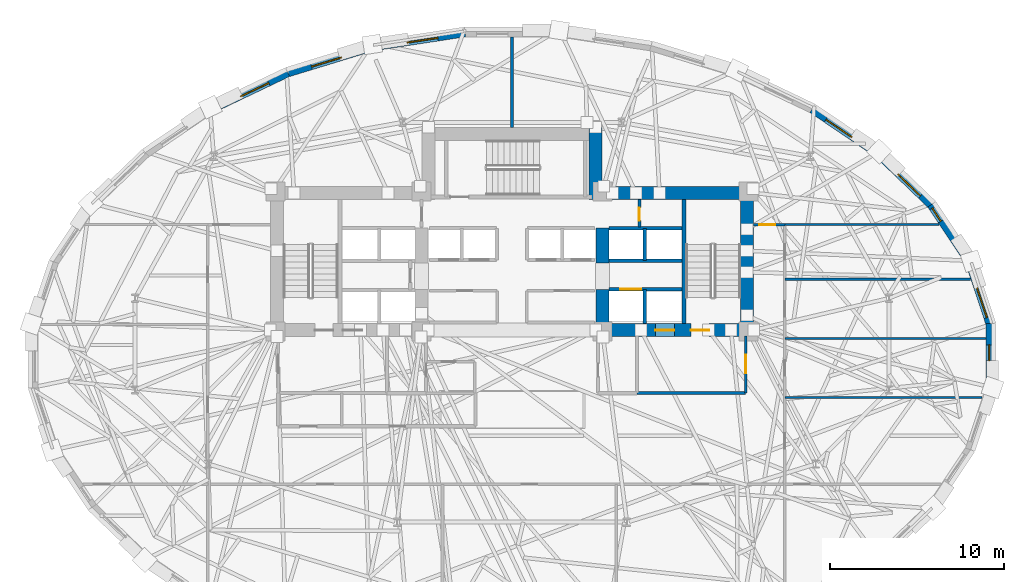
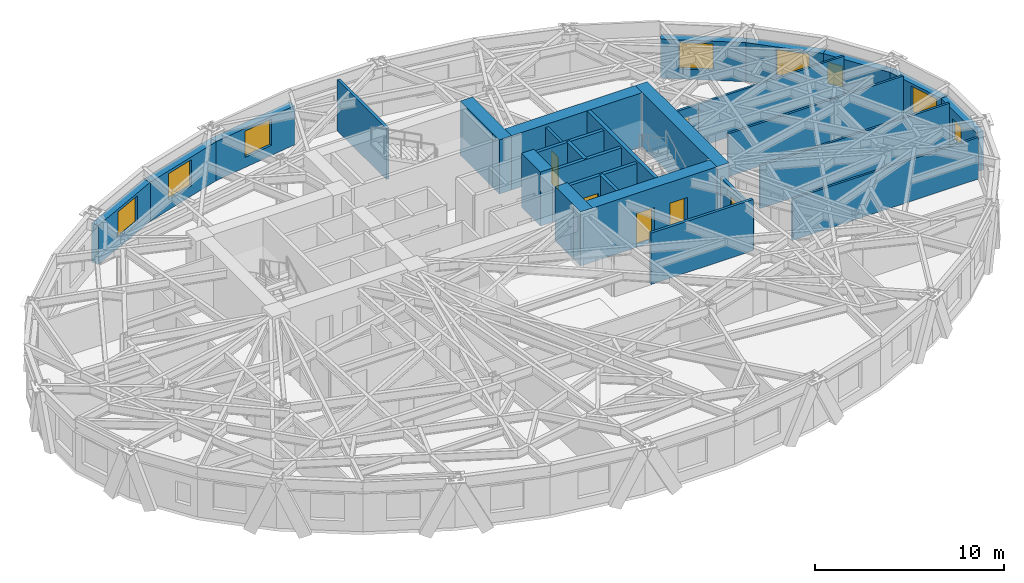
# One storey, part 9 of 14: 29 walls, 8 windows, 6 doors, 14 openings.
"""IFC4 building model written with IfcOpenShell, lengths in metres."""

from ifc_helpers import new_model, si_unit, direction, frame, frame_2d, origin, place, context, subcontext, project, spatial, rectangle, extrude, material, layer, layer_set, type_object, element, fill, save


model = new_model("IFC4")

# Units and contexts
model_context = context("Model", 3, precision=1e-05, world=origin(), true_north=direction((0.0, 1.0)))
body_context = subcontext(model_context, "Body", "Model", "MODEL_VIEW")
ifc_project = project(units=[si_unit("LENGTHUNIT", "METRE"), si_unit("AREAUNIT", "SQUARE_METRE"), si_unit("VOLUMEUNIT", "CUBIC_METRE"), si_unit("PLANEANGLEUNIT", "RADIAN"), si_unit("MASSUNIT", "GRAM", prefix="KILO")], contexts=[model_context])

# Site, building, storey
site_placement = place(None, origin())
site = spatial("IfcSite", under=ifc_project, at=site_placement, CompositionType="ELEMENT")
building_placement = place(site_placement, origin())
building = spatial("IfcBuilding", under=site, at=building_placement, Name="Keldmark Tower", CompositionType="ELEMENT")
storey_placement = place(building_placement, frame((0.0, 0.0, 100.10009765625)))
storey = spatial("IfcBuildingStorey", under=building, at=storey_placement, Name="L26", CompositionType="ELEMENT", Elevation=100.10009765625)

# Wall, opening, door
ifc_material_1 = material(Name="Acoustic Double-Layer Gypsum Corridor Partition", Category="gypsum")
ifc_layer_1 = layer(ifc_material_1, 0.139892578125)
ifc_layer_set_1 = layer_set([ifc_layer_1], Name="Acoustic Double-Layer Gypsum Corridor Partition")
wall_type_1 = type_object("IfcWallType", Name="Acoustic Corridor Partition 140 mm", PredefinedType="PARTITIONING", material=ifc_layer_set_1)
wall_1_placement = place(storey_placement, frame((13.89990234375, 7.550048828125, 0.0), z_axis=(0.0, 0.0, 1.0), x_axis=(1.0, 0.0, 0.0)))
wall_1 = element("IfcWall", 1, at=wall_1_placement, inside=storey, type_object=wall_type_1, Name="L26 Acoustic Corridor Partition 140 mm COR-EN-CAP", PredefinedType="PARTITIONING", context=body_context, shape_type="SweptSolid", body=[
    extrude(rectangle(XDim=1.800048828125, YDim=0.139892578125, at=frame_2d((0.89990234375, 0.0))), origin(), (0.0, 0.0, 1.0), 2.762939453125),
])
opening_1_placement = place(wall_1_placement, frame((0.320068359375, 0.0, 0.0)))
opening_1 = element("IfcOpeningElement", 2, at=opening_1_placement, cuts=wall_1, Name="Opening D-EX092", PredefinedType="OPENING", context=body_context, shape_type="SweptSolid", body=[
    extrude(rectangle(XDim=0.919921875, YDim=2.14990234375, at=frame_2d((0.4599609375, 1.074951171875))), frame((0.0, 0.079833984375, 0.0), z_axis=(0.0, -1.0, 0.0), x_axis=(1.0, 0.0, 0.0)), (0.0, 0.0, 1.0), 0.159912109375),
])
ifc_material_2 = material(Name="Flush American Ash Executive Office Door", Category="wood")
door_type_1 = type_object("IfcDoorType", Name="Executive Office Door 920x2150", OperationType="NOTDEFINED", PredefinedType="DOOR", material=ifc_material_2)
door_1_placement = place(opening_1_placement, origin())
door_1 = element("IfcDoor", 3, at=door_1_placement, inside=storey, type_object=door_type_1, Name="L26 Executive Office Door 920x2150 D-NRNE-L26", OperationType="SINGLE_SWING_RIGHT", OverallHeight=2.14990234375, OverallWidth=0.919921875, PredefinedType="DOOR", context=body_context, shape_type="SweptSolid", body=[
    extrude(rectangle(XDim=0.919921875, YDim=2.14990234375, at=frame_2d((0.4599609375, 1.074951171875))), frame((0.0, 0.02490234375, 0.0), z_axis=(0.0, -1.0, 0.0), x_axis=(1.0, 0.0, 0.0)), (0.0, 0.0, 1.0), 0.050048828125),
])
fill(opening_1, door_1)

# Walls
ifc_material_3 = material(Name="STC-58 Insulated Tenant Demising Gypsum Partition", Category="gypsum")
ifc_layer_2 = layer(ifc_material_3, 0.175048828125)
ifc_layer_set_2 = layer_set([ifc_layer_2], Name="STC-58 Insulated Tenant Demising Gypsum Partition")
wall_type_2 = type_object("IfcWallType", Name="Demising Suite Partition 175 mm", PredefinedType="PARTITIONING", material=ifc_layer_set_2)
wall_2_placement = place(storey_placement, frame((0.0, 13.14990234375, 0.0), z_axis=(0.0, 0.0, 1.0), x_axis=(0.0, 1.0, 0.0)))
element("IfcWall", 4, at=wall_2_placement, inside=storey, type_object=wall_type_2, Name="L26 Demising Suite Partition 175 mm N-MID-DIV", PredefinedType="PARTITIONING", context=body_context, shape_type="SweptSolid", body=[
    extrude(rectangle(XDim=5.1904296875, YDim=0.175048828125, at=frame_2d((2.59521484375, 0.0))), origin(), (0.0, 0.0, 1.0), 3.309814453125),
])
ifc_material_4 = material(Name="Acoustic Gypsum Board Interior Partition", Category="gypsum")
ifc_layer_3 = layer(ifc_material_4, 0.1298828125)
ifc_layer_set_3 = layer_set([ifc_layer_3], Name="Acoustic Gypsum Board Interior Partition")
wall_type_3 = type_object("IfcWallType", Name="Interior Partition 130 mm", PredefinedType="PARTITIONING", material=ifc_layer_set_3)
wall_3_placement = place(storey_placement, frame((15.699951171875, 7.550048828125, 0.0), z_axis=(0.0, 0.0, 1.0), x_axis=(1.0, 0.0, 0.0)))
element("IfcWall", 5, at=wall_3_placement, inside=storey, type_object=wall_type_3, Name="L26 Interior Partition 130 mm E-CAP-N", PredefinedType="PARTITIONING", context=body_context, shape_type="SweptSolid", body=[
    extrude(rectangle(XDim=8.888671875, YDim=0.1298828125, at=frame_2d((4.4443359375, 0.0))), origin(), (0.0, 0.0, 1.0), 2.762939453125),
])
wall_4_placement = place(storey_placement, frame((15.699951171875, -2.39990234375, 0.0), z_axis=(0.0, 0.0, 1.0), x_axis=(1.0, 0.0, 0.0)))
element("IfcWall", 6, at=wall_4_placement, inside=storey, type_object=wall_type_3, Name="L26 Interior Partition 130 mm E-DIV-1", PredefinedType="PARTITIONING", context=body_context, shape_type="SweptSolid", body=[
    extrude(rectangle(XDim=11.36181640625, YDim=0.1298828125, at=frame_2d((5.680908203125, 0.0))), origin(), (0.0, 0.0, 1.0), 2.68798828125),
])
wall_5_placement = place(storey_placement, frame((15.699951171875, 1.0, 0.0), z_axis=(0.0, 0.0, 1.0), x_axis=(1.0, 0.0, 0.0)))
element("IfcWall", 7, at=wall_5_placement, inside=storey, type_object=wall_type_3, Name="L26 Interior Partition 130 mm E-DIV-2", PredefinedType="PARTITIONING", context=body_context, shape_type="SweptSolid", body=[
    extrude(rectangle(XDim=11.567626953125, YDim=0.1298828125, at=frame_2d((5.78369140625, 0.0))), origin(), (0.0, 0.0, 1.0), 2.762939453125),
])
wall_6_placement = place(storey_placement, frame((15.699951171875, 4.39990234375, 0.0), z_axis=(0.0, 0.0, 1.0), x_axis=(1.0, 0.0, 0.0)))
element("IfcWall", 8, at=wall_6_placement, inside=storey, type_object=wall_type_3, Name="L26 Interior Partition 130 mm E-DIV-3", PredefinedType="PARTITIONING", context=body_context, shape_type="SweptSolid", body=[
    extrude(rectangle(XDim=10.69970703125, YDim=0.1298828125, at=frame_2d((5.349853515625, 0.0))), origin(), (0.0, 0.0, 1.0), 2.762939453125),
])
ifc_material_5 = material(Name="Concrete C70/85", Category="concrete")
ifc_layer_4 = layer(ifc_material_5, 0.75)
ifc_layer_set_4 = layer_set([ifc_layer_4], Name="Concrete C70/85")
wall_type_4 = type_object("IfcWallType", Name="Low-Mid Core Shear Wall 750 mm", PredefinedType="SHEAR", material=ifc_layer_set_4)
wall_7_placement = place(storey_placement, frame((13.52490234375, 1.10009765625, 0.0), z_axis=(0.0, 0.0, 1.0), x_axis=(0.0, 1.0, 0.0)))
element("IfcWall", 9, at=wall_7_placement, inside=storey, type_object=wall_type_4, Name="L26 East Core Outer Shear Wall", PredefinedType="SHEAR", context=body_context, shape_type="SweptSolid", body=[
    extrude(rectangle(XDim=8.64990234375, YDim=0.75, at=frame_2d((4.324951171875, 0.0))), origin(), (0.0, 0.0, 1.0), 3.5),
])
wall_8_placement = place(storey_placement, frame((4.425048828125, 9.375, 0.0), z_axis=(0.0, 0.0, 1.0), x_axis=(1.0, 0.0, 0.0)))
element("IfcWall", 10, at=wall_8_placement, inside=storey, type_object=wall_type_4, Name="L26 East Core North Shear Wall", PredefinedType="SHEAR", context=body_context, shape_type="SweptSolid", body=[
    extrude(rectangle(XDim=9.474853515625, YDim=0.75, at=frame_2d((4.7373046875, 0.0))), origin(), (0.0, 0.0, 1.0), 3.5),
])

# Wall, openings, doors
wall_9_placement = place(storey_placement, frame((13.89990234375, 1.47509765625, 0.0), z_axis=(0.0, 0.0, 1.0), x_axis=(-1.0, 0.0, 0.0)))
wall_9 = element("IfcWall", 11, at=wall_9_placement, inside=storey, type_object=wall_type_4, Name="L26 East Core South Shear Wall", PredefinedType="SHEAR", context=body_context, shape_type="SweptSolid", body=[
    extrude(rectangle(XDim=9.074951171875, YDim=0.75, at=frame_2d((4.53759765625, 0.0))), origin(), (0.0, 0.0, 1.0), 3.5),
])
opening_2_placement = place(wall_9_placement, frame((2.550048828125, 0.0, 0.0)))
opening_2 = element("IfcOpeningElement", 12, at=opening_2_placement, cuts=wall_9, Name="Opening D-ST105", PredefinedType="OPENING", context=body_context, shape_type="SweptSolid", body=[
    extrude(rectangle(XDim=1.050048828125, YDim=2.14990234375, at=frame_2d((0.52490234375, 1.074951171875))), frame((0.0, 0.385009765625, 0.0), z_axis=(0.0, -1.0, 0.0), x_axis=(1.0, 0.0, 0.0)), (0.0, 0.0, 1.0), 0.77001953125),
])
opening_3_placement = place(wall_9_placement, frame((4.550048828125, 0.0, 0.0)))
opening_3 = element("IfcOpeningElement", 13, at=opening_3_placement, cuts=wall_9, Name="Opening LD-110", PredefinedType="OPENING", context=body_context, shape_type="SweptSolid", body=[
    extrude(rectangle(XDim=1.10009765625, YDim=2.199951171875, at=frame_2d((0.550048828125, 1.10009765625))), frame((0.0, 0.385009765625, 0.0), z_axis=(0.0, -1.0, 0.0), x_axis=(1.0, 0.0, 0.0)), (0.0, 0.0, 1.0), 0.77001953125),
])
ifc_material_6 = material(Name="Brushed Bronze Hoistway Sliding Leaf", Category="metal")
door_type_2 = type_object("IfcDoorType", Name="Lift Landing Sliding Door 1100x2200", OperationType="SLIDING_TO_LEFT", PredefinedType="DOOR", material=ifc_material_6)
door_2_placement = place(opening_3_placement, origin())
door_2 = element("IfcDoor", 14, at=door_2_placement, inside=storey, type_object=door_type_2, Name="L26 Lift Landing Sliding Door 1100x2200 LD-EL-FS2-L26", OperationType="SLIDING_TO_LEFT", OverallHeight=2.199951171875, OverallWidth=1.10009765625, PredefinedType="DOOR", context=body_context, shape_type="SweptSolid", body=[
    extrude(rectangle(XDim=1.10009765625, YDim=2.199951171875, at=frame_2d((0.550048828125, 1.10009765625))), frame((0.0, 0.02490234375, 0.0), z_axis=(0.0, -1.0, 0.0), x_axis=(1.0, 0.0, 0.0)), (0.0, 0.0, 1.0), 0.050048828125),
])
fill(opening_3, door_2)
ifc_material_7 = material(Name="Hollow Metal Fire-Rated Door Assembly", Category="metal")
door_type_3 = type_object("IfcDoorType", Name="Stair Fire Door 1050x2150", OperationType="NOTDEFINED", PredefinedType="DOOR", material=ifc_material_7)
door_3_placement = place(opening_2_placement, origin())
door_3 = element("IfcDoor", 15, at=door_3_placement, inside=storey, type_object=door_type_3, Name="L26 Stair Fire Door 1050x2150 D-ST2-L26", OperationType="SINGLE_SWING_LEFT", OverallHeight=2.14990234375, OverallWidth=1.050048828125, PredefinedType="DOOR", context=body_context, shape_type="SweptSolid", body=[
    extrude(rectangle(XDim=1.050048828125, YDim=2.14990234375, at=frame_2d((0.52490234375, 1.074951171875))), frame((0.0, 0.02490234375, 0.0), z_axis=(0.0, -1.0, 0.0), x_axis=(1.0, 0.0, 0.0)), (0.0, 0.0, 1.0), 0.050048828125),
])
fill(opening_2, door_3)

# Walls
wall_10_placement = place(storey_placement, frame((5.199951171875, 1.10009765625, 0.0), z_axis=(0.0, 0.0, 1.0), x_axis=(0.0, 1.0, 0.0)))
element("IfcWall", 16, at=wall_10_placement, inside=storey, type_object=wall_type_4, Name="L26 East Core Inner Shear Pier South", PredefinedType="SHEAR", context=body_context, shape_type="SweptSolid", body=[
    extrude(rectangle(XDim=2.699951171875, YDim=0.75, at=frame_2d((1.35009765625, 0.0))), origin(), (0.0, 0.0, 1.0), 3.5),
])
wall_11_placement = place(storey_placement, frame((5.199951171875, 5.35009765625, 0.0), z_axis=(0.0, 0.0, 1.0), x_axis=(0.0, 1.0, 0.0)))
element("IfcWall", 17, at=wall_11_placement, inside=storey, type_object=wall_type_4, Name="L26 East Core Inner Shear Pier North", PredefinedType="SHEAR", context=body_context, shape_type="SweptSolid", body=[
    extrude(rectangle(XDim=2.0, YDim=0.75, at=frame_2d((1.0, 0.0))), origin(), (0.0, 0.0, 1.0), 3.5),
])
wall_12_placement = place(storey_placement, frame((4.800048828125, 9.0, 0.0), z_axis=(0.0, 0.0, 1.0), x_axis=(0.0, 1.0, 0.0)))
element("IfcWall", 18, at=wall_12_placement, inside=storey, type_object=wall_type_4, Name="L26 North Core East Shear Wall", PredefinedType="SHEAR", context=body_context, shape_type="SweptSolid", body=[
    extrude(rectangle(XDim=4.14990234375, YDim=0.75, at=frame_2d((2.074951171875, 0.0))), origin(), (0.0, 0.0, 1.0), 3.5),
])
ifc_material_8 = material(Name="Type X Fire-Rated Gypsum Partition Assembly", Category="gypsum")
ifc_layer_5 = layer(ifc_material_8, 0.1650390625)
ifc_layer_set_5 = layer_set([ifc_layer_5], Name="Type X Fire-Rated Gypsum Partition Assembly")
wall_type_5 = type_object("IfcWallType", Name="Rated Partition 165 mm", PredefinedType="PARTITIONING", material=ifc_layer_set_5)
wall_13_placement = place(storey_placement, frame((7.199951171875, -2.14990234375, 0.0), z_axis=(0.0, 0.0, 1.0), x_axis=(1.0, 0.0, 0.0)))
element("IfcWall", 19, at=wall_13_placement, inside=storey, type_object=wall_type_5, Name="L26 Rated Partition 165 mm FSAE-E-S", PredefinedType="PARTITIONING", context=body_context, shape_type="SweptSolid", body=[
    extrude(rectangle(XDim=6.25, YDim=0.1650390625, at=frame_2d((3.125, 0.0))), origin(), (0.0, 0.0, 1.0), 3.309814453125),
])

# Wall, opening, door
wall_14_placement = place(storey_placement, frame((13.449951171875, -2.14990234375, 0.0), z_axis=(0.0, 0.0, 1.0), x_axis=(0.0, 1.0, 0.0)))
wall_14 = element("IfcWall", 20, at=wall_14_placement, inside=storey, type_object=wall_type_5, Name="L26 Rated Partition 165 mm FSAE-E-E", PredefinedType="PARTITIONING", context=body_context, shape_type="SweptSolid", body=[
    extrude(rectangle(XDim=3.2998046875, YDim=0.1650390625, at=frame_2d((1.64990234375, 0.0))), origin(), (0.0, 0.0, 1.0), 2.762939453125),
])
opening_4_placement = place(wall_14_placement, frame((1.14990234375, 0.0, 0.0)))
opening_4 = element("IfcOpeningElement", 21, at=opening_4_placement, cuts=wall_14, Name="Opening D-FL105", PredefinedType="OPENING", context=body_context, shape_type="SweptSolid", body=[
    extrude(rectangle(XDim=1.050048828125, YDim=2.14990234375, at=frame_2d((0.52490234375, 1.074951171875))), frame((0.0, 0.092529296875, 0.0), z_axis=(0.0, -1.0, 0.0), x_axis=(1.0, 0.0, 0.0)), (0.0, 0.0, 1.0), 0.18505859375),
])
ifc_material_9 = material(Name="Fire-Rated Mineral-Core Door and Vision Lite", Category="metal")
door_type_4 = type_object("IfcDoorType", Name="Fire Lobby Door 1050x2150", OperationType="NOTDEFINED", PredefinedType="DOOR", material=ifc_material_9)
door_4_placement = place(opening_4_placement, origin())
door_4 = element("IfcDoor", 22, at=door_4_placement, inside=storey, type_object=door_type_4, Name="L26 Fire Lobby Door 1050x2150 D-FSAEE-OUT-L26", OperationType="SINGLE_SWING_LEFT", OverallHeight=2.14990234375, OverallWidth=1.050048828125, PredefinedType="DOOR", context=body_context, shape_type="SweptSolid", body=[
    extrude(rectangle(XDim=1.050048828125, YDim=2.14990234375, at=frame_2d((0.52490234375, 1.074951171875))), frame((0.0, 0.02490234375, 0.0), z_axis=(0.0, -1.0, 0.0), x_axis=(1.0, 0.0, 0.0)), (0.0, 0.0, 1.0), 0.050048828125),
])
fill(opening_4, door_4)

wall_15_placement = place(storey_placement, frame((7.330078125, 7.419921875, 0.0), z_axis=(0.0, 0.0, 1.0), x_axis=(0.0, 1.0, 0.0)))
wall_15 = element("IfcWall", 23, at=wall_15_placement, inside=storey, type_object=wall_type_5, Name="L26 Rated Partition 165 mm CS-NE-W", PredefinedType="PARTITIONING", context=body_context, shape_type="SweptSolid", body=[
    extrude(rectangle(XDim=1.580078125, YDim=0.1650390625, at=frame_2d((0.7900390625, 0.0))), origin(), (0.0, 0.0, 1.0), 3.309814453125),
])
opening_5_placement = place(wall_15_placement, frame((0.35009765625, 0.0, 0.0)))
opening_5 = element("IfcOpeningElement", 24, at=opening_5_placement, cuts=wall_15, Name="Opening D-RS075", PredefinedType="OPENING", context=body_context, shape_type="SweptSolid", body=[
    extrude(rectangle(XDim=0.75, YDim=2.10009765625, at=frame_2d((0.375, 1.050048828125))), frame((0.0, 0.092529296875, 0.0), z_axis=(0.0, -1.0, 0.0), x_axis=(1.0, 0.0, 0.0)), (0.0, 0.0, 1.0), 0.18505859375),
])
ifc_material_10 = material(Name="Galvanized Fire-Rated Access Leaf", Category="metal")
door_type_5 = type_object("IfcDoorType", Name="Riser Access Door 750x2100", OperationType="NOTDEFINED", PredefinedType="DOOR", material=ifc_material_10)
door_5_placement = place(opening_5_placement, origin())
door_5 = element("IfcDoor", 25, at=door_5_placement, inside=storey, type_object=door_type_5, Name="L26 Riser Access Door 750x2100 D-CSNE1-L26", OperationType="SINGLE_SWING_LEFT", OverallHeight=2.10009765625, OverallWidth=0.75, PredefinedType="DOOR", context=body_context, shape_type="SweptSolid", body=[
    extrude(rectangle(XDim=0.75, YDim=2.10009765625, at=frame_2d((0.375, 1.050048828125))), frame((0.0, 0.02490234375, 0.0), z_axis=(0.0, -1.0, 0.0), x_axis=(1.0, 0.0, 0.0)), (0.0, 0.0, 1.0), 0.050048828125),
])
fill(opening_5, door_5)

ifc_material_11 = material(Name="Fire-Resistant Type X Gypsum Shaftliner Coreboard", Category="gypsum")
ifc_layer_6 = layer(ifc_material_11, 0.199951171875)
ifc_layer_set_6 = layer_set([ifc_layer_6], Name="Fire-Resistant Type X Gypsum Shaftliner Coreboard")
wall_type_6 = type_object("IfcWallType", Name="Shaft Wall 200 mm", PredefinedType="SOLIDWALL", material=ifc_layer_set_6)
wall_16_placement = place(storey_placement, frame((5.574951171875, 3.820068359375, 0.0), z_axis=(0.0, 0.0, 1.0), x_axis=(1.0, 0.0, 0.0)))
wall_16 = element("IfcWall", 26, at=wall_16_placement, inside=storey, type_object=wall_type_6, Name="L26 Shaft Wall 200 mm HW-E-S", PredefinedType="SOLIDWALL", context=body_context, shape_type="SweptSolid", body=[
    extrude(rectangle(XDim=4.205078125, YDim=0.199951171875, at=frame_2d((2.1025390625, 0.0))), origin(), (0.0, 0.0, 1.0), 3.309814453125),
])
opening_6_placement = place(wall_16_placement, frame((0.64990234375, 0.0, 0.0)))
opening_6 = element("IfcOpeningElement", 27, at=opening_6_placement, cuts=wall_16, Name="Opening LD-120", PredefinedType="OPENING", context=body_context, shape_type="SweptSolid", body=[
    extrude(rectangle(XDim=1.199951171875, YDim=2.199951171875, at=frame_2d((0.60009765625, 1.10009765625))), frame((0.0, 0.10986328125, 0.0), z_axis=(0.0, -1.0, 0.0), x_axis=(1.0, 0.0, 0.0)), (0.0, 0.0, 1.0), 0.219970703125),
])
ifc_material_12 = material(Name="Heavy-Duty Brushed Metal Hoistway Sliding Leaf", Category="metal")
door_type_6 = type_object("IfcDoorType", Name="Service Lift Sliding Door 1200x2200", OperationType="SLIDING_TO_RIGHT", PredefinedType="DOOR", material=ifc_material_12)
door_6_placement = place(opening_6_placement, origin())
door_6 = element("IfcDoor", 28, at=door_6_placement, inside=storey, type_object=door_type_6, Name="L26 Service Lift Sliding Door 1200x2200 LD-EL-SV1-L26", OperationType="SLIDING_TO_RIGHT", OverallHeight=2.199951171875, OverallWidth=1.199951171875, PredefinedType="DOOR", context=body_context, shape_type="SweptSolid", body=[
    extrude(rectangle(XDim=1.199951171875, YDim=2.199951171875, at=frame_2d((0.60009765625, 1.10009765625))), frame((0.0, 0.02490234375, 0.0), z_axis=(0.0, -1.0, 0.0), x_axis=(1.0, 0.0, 0.0)), (0.0, 0.0, 1.0), 0.050048828125),
])
fill(opening_6, door_6)

# Walls
wall_17_placement = place(storey_placement, frame((7.64990234375, 1.85009765625, 0.0), z_axis=(0.0, 0.0, 1.0), x_axis=(0.0, 1.0, 0.0)))
element("IfcWall", 29, at=wall_17_placement, inside=storey, type_object=wall_type_6, Name="L26 Shaft Wall 200 mm HW-E-M", PredefinedType="SOLIDWALL", context=body_context, shape_type="SweptSolid", body=[
    extrude(rectangle(XDim=1.969970703125, YDim=0.199951171875, at=frame_2d((0.98486328125, 0.0))), origin(), (0.0, 0.0, 1.0), 3.309814453125),
])
for number, where, z_axis, x_axis, name in (
    (30, (5.574951171875, 5.469970703125, 0.0), (0.0, 0.0, 1.0), (1.0, 0.0, 0.0), "L26 Shaft Wall 200 mm HW-E-N"),
    (31, (5.574951171875, 7.330078125, 0.0), (0.0, 0.0, 1.0), (1.0, 0.0, 0.0), "L26 Shaft Wall 200 mm HW-E-TOP"),
):
    element("IfcWall", number, at=place(storey_placement, frame(where, z_axis=z_axis, x_axis=x_axis)), inside=storey, type_object=wall_type_6, Name=name, PredefinedType="SOLIDWALL", context=body_context, shape_type="SweptSolid", body=[
        extrude(rectangle(XDim=4.205078125, YDim=0.199951171875, at=frame_2d((2.1025390625, 0.0))), origin(), (0.0, 0.0, 1.0), 3.309814453125),
    ])
wall_18_placement = place(storey_placement, frame((7.64990234375, 5.469970703125, 0.0), z_axis=(0.0, 0.0, 1.0), x_axis=(0.0, 1.0, 0.0)))
element("IfcWall", 32, at=wall_18_placement, inside=storey, type_object=wall_type_6, Name="L26 Shaft Wall 200 mm HW-E-NM", PredefinedType="SOLIDWALL", context=body_context, shape_type="SweptSolid", body=[
    extrude(rectangle(XDim=1.860107421875, YDim=0.199951171875, at=frame_2d((0.93017578125, 0.0))), origin(), (0.0, 0.0, 1.0), 3.309814453125),
])
ifc_material_13 = material(Name="Concrete C50/60", Category="concrete")
ifc_layer_7 = layer(ifc_material_13, 0.219970703125)
ifc_layer_set_7 = layer_set([ifc_layer_7], Name="Concrete C50/60")
wall_type_7 = type_object("IfcWallType", Name="Stair Core Shear Wall 220 mm", PredefinedType="SHEAR", material=ifc_layer_set_7)
wall_19_placement = place(storey_placement, frame((9.889892578125, 1.85009765625, 0.0), z_axis=(0.0, 0.0, 1.0), x_axis=(0.0, 1.0, 0.0)))
element("IfcWall", 33, at=wall_19_placement, inside=storey, type_object=wall_type_7, Name="L26 East Stair Core Shear Wall", PredefinedType="SHEAR", context=body_context, shape_type="SweptSolid", body=[
    extrude(rectangle(XDim=7.14990234375, YDim=0.219970703125, at=frame_2d((3.574951171875, 0.0))), origin(), (0.0, 0.0, 1.0), 3.5),
])

# Wall, opening, window
ifc_material_14 = material(Name="Ironspot Manganese Brick and Kasota Buff Limestone Spandrel Assembly", Category="masonry")
ifc_layer_8 = layer(ifc_material_14, 0.43994140625)
ifc_layer_set_8 = layer_set([ifc_layer_8], Name="Ironspot Manganese Brick and Kasota Buff Limestone Spandrel Assembly")
wall_type_8 = type_object("IfcWallType", Name="Tower Brick Pier and Spandrel Wall 440 mm", PredefinedType="STANDARD", material=ifc_layer_set_8)
wall_20_placement = place(storey_placement, frame((26.313720703125, 5.385009765625, 0.0), z_axis=(0.0, 0.0, 1.0), x_axis=(0.314316911692, -0.94931811266, 0.0)))
wall_20 = element("IfcWall", 34, at=wall_20_placement, inside=storey, type_object=wall_type_8, Name="L26 Exterior Brick and Spandrel Wall 01", PredefinedType="STANDARD", context=body_context, shape_type="SweptSolid", body=[
    extrude(rectangle(XDim=3.7958984375, YDim=0.43994140625, at=frame_2d((1.89794921875, 0.0))), origin(), (0.0, 0.0, 1.0), 2.52783203125),
])
opening_7_placement = place(wall_20_placement, frame((1.546630859375, 0.0, 0.64990234375)))
opening_7 = element("IfcOpeningElement", 35, at=opening_7_placement, cuts=wall_20, Name="Opening W-02", PredefinedType="OPENING", context=body_context, shape_type="SweptSolid", body=[
    extrude(rectangle(XDim=1.800048828125, YDim=1.699951171875, at=frame_2d((0.89990234375, 0.85009765625))), frame((0.0, 0.22998046875, 0.0), z_axis=(0.0, -1.0, 0.0), x_axis=(1.0, 0.0, 0.0)), (0.0, 0.0, 1.0), 0.4599609375),
])
ifc_material_15 = material(Name="Thermally Broken Anodized Aluminum and Triple Low-E Argon Glazing", Category="aluminium")
window_type_1 = type_object("IfcWindowType", Name="Office Deep-Set Triple Window 1800x1700", PartitioningType="TRIPLE_PANEL_VERTICAL", PredefinedType="WINDOW", material=ifc_material_15)
window_1_placement = place(opening_7_placement, origin())
window_1 = element("IfcWindow", 36, at=window_1_placement, inside=storey, type_object=window_type_1, Name="L26 Deep-Set Window 01", OverallHeight=1.699951171875, OverallWidth=1.800048828125, PartitioningType="SINGLE_PANEL", PredefinedType="WINDOW", context=body_context, shape_type="SweptSolid", body=[
    extrude(rectangle(XDim=1.800048828125, YDim=1.699951171875, at=frame_2d((0.89990234375, 0.85009765625))), frame((0.0, -0.010009765625, 0.0), z_axis=(0.0, -1.0, 0.0), x_axis=(1.0, 0.0, 0.0)), (0.0, 0.0, 1.0), 0.06005859375),
])
fill(opening_7, window_1)

wall_21_placement = place(storey_placement, frame((24.10986328125, 8.680419921875, 0.0), z_axis=(0.0, 0.0, 1.0), x_axis=(0.554293965046, -0.83232097193, 0.0)))
wall_21 = element("IfcWall", 37, at=wall_21_placement, inside=storey, type_object=wall_type_8, Name="L26 Exterior Brick and Spandrel Wall 02", PredefinedType="STANDARD", context=body_context, shape_type="SweptSolid", body=[
    extrude(rectangle(XDim=4.022705078125, YDim=0.43994140625, at=frame_2d((2.01123046875, 0.0))), origin(), (0.0, 0.0, 1.0), 2.52783203125),
])
opening_8_placement = place(wall_21_placement, frame((0.199951171875, 0.0, 0.580078125)))
opening_8 = element("IfcOpeningElement", 38, at=opening_8_placement, cuts=wall_21, Name="Opening W-09", PredefinedType="OPENING", context=body_context, shape_type="SweptSolid", body=[
    extrude(rectangle(XDim=0.89990234375, YDim=1.35009765625, at=frame_2d((0.449951171875, 0.675048828125))), frame((0.0, 0.22998046875, 0.0), z_axis=(0.0, -1.0, 0.0), x_axis=(1.0, 0.0, 0.0)), (0.0, 0.0, 1.0), 0.4599609375),
])
ifc_material_16 = material(Name="Thermally Broken Anodized Aluminum and Triple Low-E Argon Glazing", Category="aluminium")
window_type_2 = type_object("IfcWindowType", Name="Corner Pier Deep-Set Window 900x1350", PartitioningType="SINGLE_PANEL", PredefinedType="WINDOW", material=ifc_material_16)
window_2_placement = place(opening_8_placement, origin())
window_2 = element("IfcWindow", 39, at=window_2_placement, inside=storey, type_object=window_type_2, Name="L26 Deep-Set Window 02", OverallHeight=1.35009765625, OverallWidth=0.89990234375, PartitioningType="SINGLE_PANEL", PredefinedType="WINDOW", context=body_context, shape_type="SweptSolid", body=[
    extrude(rectangle(XDim=0.89990234375, YDim=1.35009765625, at=frame_2d((0.449951171875, 0.675048828125))), frame((0.0, -0.010009765625, 0.0), z_axis=(0.0, -1.0, 0.0), x_axis=(1.0, 0.0, 0.0)), (0.0, 0.0, 1.0), 0.06005859375),
])
fill(opening_8, window_2)

wall_22_placement = place(storey_placement, frame((21.037109375, 11.6298828125, 0.0), z_axis=(0.0, 0.0, 1.0), x_axis=(0.720581378362, -0.693370375166, 0.0)))
wall_22 = element("IfcWall", 40, at=wall_22_placement, inside=storey, type_object=wall_type_8, Name="L26 Exterior Brick and Spandrel Wall 03", PredefinedType="STANDARD", context=body_context, shape_type="SweptSolid", body=[
    extrude(rectangle(XDim=4.306640625, YDim=0.43994140625, at=frame_2d((2.1533203125, 0.0))), origin(), (0.0, 0.0, 1.0), 2.52783203125),
])
opening_9_placement = place(wall_22_placement, frame((1.669921875, 0.0, 0.64990234375)))
opening_9 = element("IfcOpeningElement", 41, at=opening_9_placement, cuts=wall_22, Name="Opening W-02", PredefinedType="OPENING", context=body_context, shape_type="SweptSolid", body=[
    extrude(rectangle(XDim=1.800048828125, YDim=1.699951171875, at=frame_2d((0.89990234375, 0.85009765625))), frame((0.0, 0.22998046875, 0.0), z_axis=(0.0, -1.0, 0.0), x_axis=(1.0, 0.0, 0.0)), (0.0, 0.0, 1.0), 0.4599609375),
])
window_3_placement = place(opening_9_placement, origin())
window_3 = element("IfcWindow", 42, at=window_3_placement, inside=storey, type_object=window_type_1, Name="L26 Deep-Set Window 03", OverallHeight=1.699951171875, OverallWidth=1.800048828125, PartitioningType="SINGLE_PANEL", PredefinedType="WINDOW", context=body_context, shape_type="SweptSolid", body=[
    extrude(rectangle(XDim=1.800048828125, YDim=1.699951171875, at=frame_2d((0.89990234375, 0.85009765625))), frame((0.0, -0.010009765625, 0.0), z_axis=(0.0, -1.0, 0.0), x_axis=(1.0, 0.0, 0.0)), (0.0, 0.0, 1.0), 0.06005859375),
])
fill(opening_9, window_3)

wall_23_placement = place(storey_placement, frame((17.266357421875, 14.18212890625, 0.0), z_axis=(0.0, 0.0, 1.0), x_axis=(0.827754551165, -0.56109036975, 0.0)))
wall_23 = element("IfcWall", 43, at=wall_23_placement, inside=storey, type_object=wall_type_8, Name="L26 Exterior Brick and Spandrel Wall 04", PredefinedType="STANDARD", context=body_context, shape_type="SweptSolid", body=[
    extrude(rectangle(XDim=4.590576171875, YDim=0.43994140625, at=frame_2d((2.29541015625, 0.0))), origin(), (0.0, 0.0, 1.0), 2.52783203125),
])
opening_10_placement = place(wall_23_placement, frame((0.996826171875, 0.0, 0.64990234375)))
opening_10 = element("IfcOpeningElement", 44, at=opening_10_placement, cuts=wall_23, Name="Opening W-02", PredefinedType="OPENING", context=body_context, shape_type="SweptSolid", body=[
    extrude(rectangle(XDim=1.800048828125, YDim=1.699951171875, at=frame_2d((0.89990234375, 0.85009765625))), frame((0.0, 0.22998046875, 0.0), z_axis=(0.0, -1.0, 0.0), x_axis=(1.0, 0.0, 0.0)), (0.0, 0.0, 1.0), 0.4599609375),
])
window_4_placement = place(opening_10_placement, origin())
window_4 = element("IfcWindow", 45, at=window_4_placement, inside=storey, type_object=window_type_1, Name="L26 Deep-Set Window 04", OverallHeight=1.699951171875, OverallWidth=1.800048828125, PartitioningType="SINGLE_PANEL", PredefinedType="WINDOW", context=body_context, shape_type="SweptSolid", body=[
    extrude(rectangle(XDim=1.800048828125, YDim=1.699951171875, at=frame_2d((0.89990234375, 0.85009765625))), frame((0.0, -0.010009765625, 0.0), z_axis=(0.0, -1.0, 0.0), x_axis=(1.0, 0.0, 0.0)), (0.0, 0.0, 1.0), 0.06005859375),
])
fill(opening_10, window_4)

wall_24_placement = place(storey_placement, frame((-8.012451171875, 17.76220703125, 0.0), z_axis=(0.0, 0.0, 1.0), x_axis=(0.988627497469, 0.150385076545, 0.0)))
wall_24 = element("IfcWall", 46, at=wall_24_placement, inside=storey, type_object=wall_type_8, Name="L26 Exterior Brick and Spandrel Wall 09", PredefinedType="STANDARD", context=body_context, shape_type="SweptSolid", body=[
    extrude(rectangle(XDim=5.376708984375, YDim=0.43994140625, at=frame_2d((2.6884765625, 0.0))), origin(), (0.0, 0.0, 1.0), 2.52783203125),
])
opening_11_placement = place(wall_24_placement, frame((1.987060546875, 0.0, 0.64990234375)))
opening_11 = element("IfcOpeningElement", 47, at=opening_11_placement, cuts=wall_24, Name="Opening W-02", PredefinedType="OPENING", context=body_context, shape_type="SweptSolid", body=[
    extrude(rectangle(XDim=1.800048828125, YDim=1.699951171875, at=frame_2d((0.89990234375, 0.85009765625))), frame((0.0, 0.22998046875, 0.0), z_axis=(0.0, -1.0, 0.0), x_axis=(1.0, 0.0, 0.0)), (0.0, 0.0, 1.0), 0.4599609375),
])
window_5_placement = place(opening_11_placement, origin())
window_5 = element("IfcWindow", 48, at=window_5_placement, inside=storey, type_object=window_type_1, Name="L26 Deep-Set Window 09", OverallHeight=1.699951171875, OverallWidth=1.800048828125, PartitioningType="SINGLE_PANEL", PredefinedType="WINDOW", context=body_context, shape_type="SweptSolid", body=[
    extrude(rectangle(XDim=1.800048828125, YDim=1.699951171875, at=frame_2d((0.89990234375, 0.85009765625))), frame((0.0, -0.010009765625, 0.0), z_axis=(0.0, -1.0, 0.0), x_axis=(1.0, 0.0, 0.0)), (0.0, 0.0, 1.0), 0.06005859375),
])
fill(opening_11, window_5)

wall_25_placement = place(storey_placement, frame((-12.92041015625, 16.2578125, 0.0), z_axis=(0.0, 0.0, 1.0), x_axis=(0.956228569431, 0.292620783617, 0.0)))
wall_25 = element("IfcWall", 49, at=wall_25_placement, inside=storey, type_object=wall_type_8, Name="L26 Exterior Brick and Spandrel Wall 10", PredefinedType="STANDARD", context=body_context, shape_type="SweptSolid", body=[
    extrude(rectangle(XDim=5.165283203125, YDim=0.43994140625, at=frame_2d((2.58251953125, 0.0))), origin(), (0.0, 0.0, 1.0), 2.52783203125),
])
opening_12_placement = place(wall_25_placement, frame((1.435546875, 0.0, 0.64990234375)))
opening_12 = element("IfcOpeningElement", 50, at=opening_12_placement, cuts=wall_25, Name="Opening W-02", PredefinedType="OPENING", context=body_context, shape_type="SweptSolid", body=[
    extrude(rectangle(XDim=1.800048828125, YDim=1.699951171875, at=frame_2d((0.89990234375, 0.85009765625))), frame((0.0, 0.22998046875, 0.0), z_axis=(0.0, -1.0, 0.0), x_axis=(1.0, 0.0, 0.0)), (0.0, 0.0, 1.0), 0.4599609375),
])
window_6_placement = place(opening_12_placement, origin())
window_6 = element("IfcWindow", 51, at=window_6_placement, inside=storey, type_object=window_type_1, Name="L26 Deep-Set Window 10", OverallHeight=1.699951171875, OverallWidth=1.800048828125, PartitioningType="SINGLE_PANEL", PredefinedType="WINDOW", context=body_context, shape_type="SweptSolid", body=[
    extrude(rectangle(XDim=1.800048828125, YDim=1.699951171875, at=frame_2d((0.89990234375, 0.85009765625))), frame((0.0, -0.010009765625, 0.0), z_axis=(0.0, -1.0, 0.0), x_axis=(1.0, 0.0, 0.0)), (0.0, 0.0, 1.0), 0.06005859375),
])
fill(opening_12, window_6)

wall_26_placement = place(storey_placement, frame((-17.294921875, 14.165771484375, 0.0), z_axis=(0.0, 0.0, 1.0), x_axis=(0.902372757907, 0.430956385018, 0.0)))
wall_26 = element("IfcWall", 52, at=wall_26_placement, inside=storey, type_object=wall_type_8, Name="L26 Exterior Brick and Spandrel Wall 11", PredefinedType="STANDARD", context=body_context, shape_type="SweptSolid", body=[
    extrude(rectangle(XDim=4.881591796875, YDim=0.43994140625, at=frame_2d((2.44091796875, 0.0))), origin(), (0.0, 0.0, 1.0), 2.52783203125),
])
opening_13_placement = place(wall_26_placement, frame((1.8388671875, 0.0, 0.64990234375)))
opening_13 = element("IfcOpeningElement", 53, at=opening_13_placement, cuts=wall_26, Name="Opening W-02", PredefinedType="OPENING", context=body_context, shape_type="SweptSolid", body=[
    extrude(rectangle(XDim=1.800048828125, YDim=1.699951171875, at=frame_2d((0.89990234375, 0.85009765625))), frame((0.0, 0.22998046875, 0.0), z_axis=(0.0, -1.0, 0.0), x_axis=(1.0, 0.0, 0.0)), (0.0, 0.0, 1.0), 0.4599609375),
])
window_7_placement = place(opening_13_placement, origin())
window_7 = element("IfcWindow", 54, at=window_7_placement, inside=storey, type_object=window_type_1, Name="L26 Deep-Set Window 11", OverallHeight=1.699951171875, OverallWidth=1.800048828125, PartitioningType="SINGLE_PANEL", PredefinedType="WINDOW", context=body_context, shape_type="SweptSolid", body=[
    extrude(rectangle(XDim=1.800048828125, YDim=1.699951171875, at=frame_2d((0.89990234375, 0.85009765625))), frame((0.0, -0.010009765625, 0.0), z_axis=(0.0, -1.0, 0.0), x_axis=(1.0, 0.0, 0.0)), (0.0, 0.0, 1.0), 0.06005859375),
])
fill(opening_13, window_7)

wall_27_placement = place(storey_placement, frame((27.49560546875, 1.8505859375, 0.0), z_axis=(0.0, 0.0, 1.0), x_axis=(0.0, -1.0, 0.0)))
wall_27 = element("IfcWall", 55, at=wall_27_placement, inside=storey, type_object=wall_type_8, Name="L26 Exterior Brick and Spandrel Wall 32", PredefinedType="STANDARD", context=body_context, shape_type="SweptSolid", body=[
    extrude(rectangle(XDim=3.701171875, YDim=0.43994140625, at=frame_2d((1.8505859375, 0.0))), origin(), (0.0, 0.0, 1.0), 2.52783203125),
])
opening_14_placement = place(wall_27_placement, frame((1.22900390625, 0.0, 0.580078125)))
opening_14 = element("IfcOpeningElement", 56, at=opening_14_placement, cuts=wall_27, Name="Opening W-09", PredefinedType="OPENING", context=body_context, shape_type="SweptSolid", body=[
    extrude(rectangle(XDim=0.89990234375, YDim=1.35009765625, at=frame_2d((0.449951171875, 0.675048828125))), frame((0.0, 0.22998046875, 0.0), z_axis=(0.0, -1.0, 0.0), x_axis=(1.0, 0.0, 0.0)), (0.0, 0.0, 1.0), 0.4599609375),
])
window_8_placement = place(opening_14_placement, origin())
window_8 = element("IfcWindow", 57, at=window_8_placement, inside=storey, type_object=window_type_2, Name="L26 Deep-Set Window 32", OverallHeight=1.35009765625, OverallWidth=0.89990234375, PartitioningType="SINGLE_PANEL", PredefinedType="WINDOW", context=body_context, shape_type="SweptSolid", body=[
    extrude(rectangle(XDim=0.89990234375, YDim=1.35009765625, at=frame_2d((0.449951171875, 0.675048828125))), frame((0.0, -0.010009765625, 0.0), z_axis=(0.0, -1.0, 0.0), x_axis=(1.0, 0.0, 0.0)), (0.0, 0.0, 1.0), 0.06005859375),
])
fill(opening_14, window_8)

save(model, "model.ifc")
